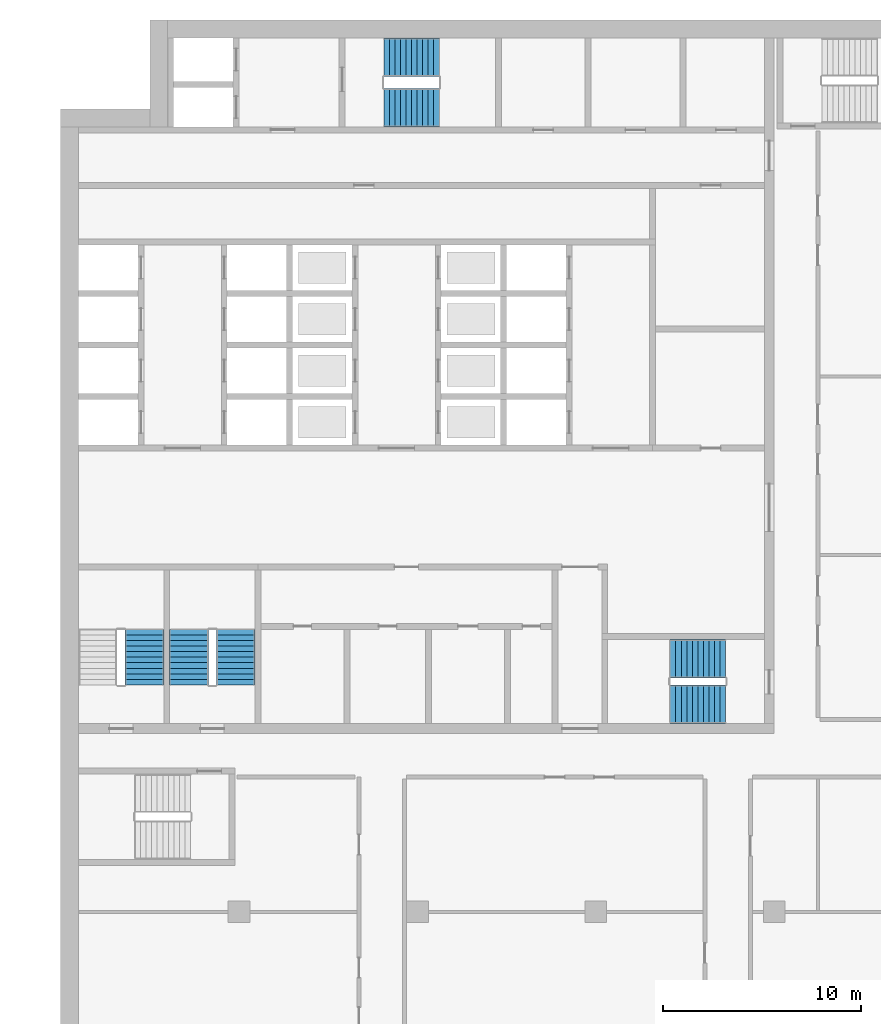
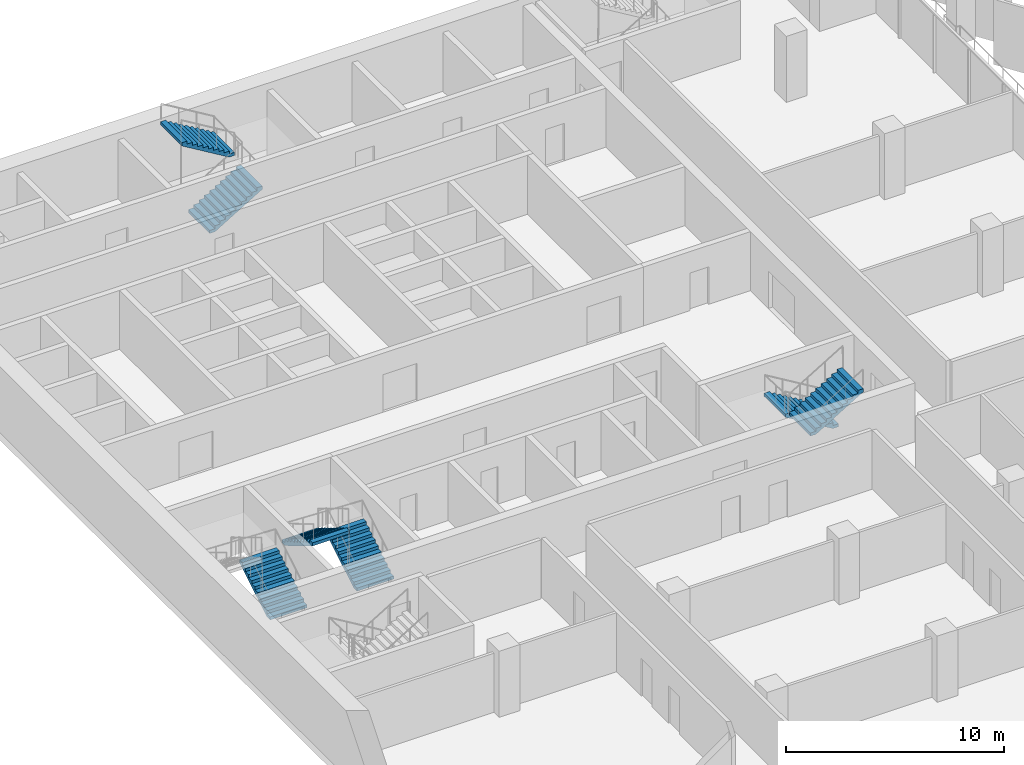
# One storey, part 12 of 18: 7 stair flights, 4 elements without a shape of their own.
"""IFC4 building model written with IfcOpenShell, lengths in metres."""

import ifcopenshell
import ifcopenshell.guid

model = None  # the IFC model being written
_history = None  # IfcOwnerHistory: only IFC2X3 demands one
_inside = {}  # id of a spatial element -> (the spatial element, [elements in it])
_under = {}  # id of a project, library or spatial element -> (it, [spatial elements below it])
_declared = {}  # id of a project -> (the project, [libraries it declares])
_typed = {}  # id of a type object -> (the type object, [elements of that type])
_made_of = {}  # id of a material, layer set ... -> (it, [elements and type objects made of it])


def new_model(schema):
    """Start an empty IFC model of exactly this schema.

    Asked for "IFC4X3", IfcOpenShell would pick the latest addendum, in which some entities
    have other attributes; the version numbers below select the first issue.
    IFC2X3 requires an IfcOwnerHistory on every rooted entity: one is made here for all.
    """
    global model, _history
    if schema == "IFC4X3":
        model = ifcopenshell.file(schema_version=(4, 3, 0, 0))
    else:
        model = ifcopenshell.file(schema=schema)
    _inside.clear()
    _under.clear()
    _declared.clear()
    _typed.clear()
    _made_of.clear()
    _history = None
    if model.schema == "IFC2X3":
        org = make("IfcOrganization", Name="unknown")
        user = make(
            "IfcPersonAndOrganization",
            ThePerson=make("IfcPerson", FamilyName="unknown"),
            TheOrganization=org,
        )
        app = make(
            "IfcApplication",
            ApplicationDeveloper=org,
            Version="unknown",
            ApplicationFullName="unknown",
            ApplicationIdentifier="unknown",
        )
        _history = make(
            "IfcOwnerHistory",
            OwningUser=user,
            OwningApplication=app,
            ChangeAction="ADDED",
            CreationDate=0,
        )
    return model


def make(cls, **values):
    """One entity of the class cls with the attributes given. An attribute that is None is left unset."""
    return model.create_entity(
        cls, **{name: value for name, value in values.items() if value is not None}
    )


def rooted(cls, **values):
    """An entity with a GlobalId (a new one), such as an element, a storey or a relation."""
    return make(cls, GlobalId=ifcopenshell.guid.new(), OwnerHistory=_history, **values)


def si_unit(unit_type, name, prefix=None):
    """IfcSIUnit, for example si_unit("LENGTHUNIT", "METRE", prefix="MILLI")."""
    return make("IfcSIUnit", UnitType=unit_type, Prefix=prefix, Name=name)


def assignment(units):
    """IfcUnitAssignment: the units of a project."""
    return None if units is None else make("IfcUnitAssignment", Units=units)


def point(xyz):
    """IfcCartesianPoint."""
    return None if xyz is None else make("IfcCartesianPoint", Coordinates=xyz)


def direction(xyz):
    """IfcDirection."""
    return None if xyz is None else make("IfcDirection", DirectionRatios=xyz)


def frame(location, z_axis=None, x_axis=None):
    """IfcAxis2Placement3D, a coordinate frame: its origin and axes. An axis left out is left unset."""
    return make(
        "IfcAxis2Placement3D",
        Location=point(location),
        Axis=direction(z_axis),
        RefDirection=direction(x_axis),
    )


def origin():
    """The frame at (0, 0, 0) with its axes left unset."""
    return frame((0.0, 0.0, 0.0))


def place(relative_to, where):
    """IfcLocalPlacement: puts the frame where relative to a parent placement (None: the world)."""
    return make(
        "IfcLocalPlacement", PlacementRelTo=relative_to, RelativePlacement=where
    )


def context(
    kind, dimensions, precision=None, world=None, true_north=None, identifier=None
):
    """IfcGeometricRepresentationContext, for example the 3D "Model" context."""
    return make(
        "IfcGeometricRepresentationContext",
        ContextIdentifier=identifier,
        ContextType=kind,
        CoordinateSpaceDimension=dimensions,
        Precision=precision,
        WorldCoordinateSystem=world,
        TrueNorth=true_north,
    )


def subcontext(parent, identifier, kind, view, scale=None):
    """IfcGeometricRepresentationSubContext, for example "Body" below "Model"."""
    return make(
        "IfcGeometricRepresentationSubContext",
        ContextIdentifier=identifier,
        ContextType=kind,
        ParentContext=parent,
        TargetScale=scale,
        TargetView=view,
    )


def project(units=None, contexts=None):
    """IfcProject with its units and contexts."""
    return rooted(
        "IfcProject",
        Name="project",
        RepresentationContexts=contexts,
        UnitsInContext=assignment(units),
    )


def spatial(cls, under=None, at=None, **own):
    """A site, building, storey or space (cls), placed at a placement, below another one or the project."""
    s = rooted(cls, ObjectPlacement=at, **own)
    if under is not None:
        _under.setdefault(under.id(), (under, []))[1].append(s)
    return s


def polyline(points):
    """IfcPolyline through the points."""
    return make("IfcPolyline", Points=[point(p) for p in points])


def outline(outer, holes=None, kind="AREA"):
    """IfcArbitraryClosedProfileDef: a profile drawn as a closed curve; with holes, ...WithVoids."""
    if holes is None:
        return make("IfcArbitraryClosedProfileDef", ProfileType=kind, OuterCurve=outer)
    return make(
        "IfcArbitraryProfileDefWithVoids",
        ProfileType=kind,
        OuterCurve=outer,
        InnerCurves=holes,
    )


def extrude(swept, where, along, depth):
    """IfcExtrudedAreaSolid: the profile swept, set in the frame where, extruded along a direction by depth."""
    return make(
        "IfcExtrudedAreaSolid",
        SweptArea=swept,
        Position=where,
        ExtrudedDirection=direction(along),
        Depth=depth,
    )


def shape(context_of_items, identifier, shape_type, items):
    """IfcShapeRepresentation: the items that make up one representation, for example the "Body"."""
    return make(
        "IfcShapeRepresentation",
        ContextOfItems=context_of_items,
        RepresentationIdentifier=identifier,
        RepresentationType=shape_type,
        Items=items,
    )


def material(Name=None, Category=None):
    """IfcMaterial."""
    return make("IfcMaterial", Name=Name, Category=Category)


def made_of(thing, what):
    """Note that an element or type object is made of a material, layer set ...; save() writes the relation."""
    if what is not None:
        _made_of.setdefault(what.id(), (what, []))[1].append(thing)
    return thing


def type_object(cls, material=None, **own):
    """A type object (cls), such as IfcWallType, which elements share."""
    return made_of(rooted(cls, **own), material)


def element(
    cls,
    number,
    at=None,
    inside=None,
    cuts=None,
    type_object=None,
    material=None,
    context=None,
    identifier="Body",
    shape_type=None,
    held_by="IfcProductDefinitionShape",
    body=None,
    shapes=None,
    **own,
):
    """One element of the class cls, such as IfcWall. Its Tag is "e" and its number.

    at: its placement. inside: the storey or other place that contains it. cuts: it is an
    opening in that element (IfcRelVoidsElement). A single representation is given by context,
    identifier, shape_type and body (its items); several are given by shapes. held_by: the class
    of the entity that holds the representations. save() writes the other relations.
    """
    e = rooted(cls, Tag="e%d" % number, ObjectPlacement=at, **own)
    if body is not None:
        shapes = [shape(context, identifier, shape_type, body)]
    if shapes is not None:
        e.Representation = make(held_by, Representations=shapes)
    if inside is not None:
        _inside.setdefault(inside.id(), (inside, []))[1].append(e)
    if cuts is not None:
        rooted(
            "IfcRelVoidsElement", RelatingBuildingElement=cuts, RelatedOpeningElement=e
        )
    if type_object is not None:
        _typed.setdefault(type_object.id(), (type_object, []))[1].append(e)
    return made_of(e, material)


def aggregate(whole, parts):
    """IfcRelAggregates: a whole, such as a stair, and the parts it consists of."""
    return rooted("IfcRelAggregates", RelatingObject=whole, RelatedObjects=parts)


def save(model, path):
    """Write the relations noted so far, then the file.

    IfcRelAggregates (storeys below a building ...), IfcRelContainedInSpatialStructure (elements
    in a storey), IfcRelDefinesByType, IfcRelAssociatesMaterial and IfcRelDeclares: one each for
    every whole, place, type object, material and project.
    """
    for whole, parts in _under.values():
        aggregate(whole, parts)
    for where, things in _inside.values():
        rooted(
            "IfcRelContainedInSpatialStructure",
            RelatedElements=things,
            RelatingStructure=where,
        )
    for kind, things in _typed.values():
        rooted("IfcRelDefinesByType", RelatedObjects=things, RelatingType=kind)
    for what, things in _made_of.values():
        rooted("IfcRelAssociatesMaterial", RelatedObjects=things, RelatingMaterial=what)
    for by, libraries in _declared.values():
        rooted("IfcRelDeclares", RelatingContext=by, RelatedDefinitions=libraries)
    model.write(path)


model = new_model("IFC4")

# Units and contexts
model_context = context("Model", 3, precision=1e-05, world=origin(), true_north=direction((0.0, 1.0)))
body_context = subcontext(model_context, "Body", "Model", "MODEL_VIEW")
ifc_project = project(units=[si_unit("LENGTHUNIT", "METRE"), si_unit("AREAUNIT", "SQUARE_METRE"), si_unit("VOLUMEUNIT", "CUBIC_METRE"), si_unit("PLANEANGLEUNIT", "RADIAN"), si_unit("MASSUNIT", "GRAM", prefix="KILO")], contexts=[model_context])

# Site, building, storey
site_placement = place(None, origin())
site = spatial("IfcSite", under=ifc_project, at=site_placement, CompositionType="ELEMENT")
building_placement = place(site_placement, origin())
building = spatial("IfcBuilding", under=site, at=building_placement, Name="Hunhe Ridgeline Campus", CompositionType="ELEMENT")
storey_placement = place(building_placement, frame((0.0, 0.0, 182.800048828125)))
storey = spatial("IfcBuildingStorey", under=building, at=storey_placement, Name="L46", CompositionType="ELEMENT", Elevation=182.800048828125)

# Stair, stair flights
ifc_material = material(Name="Concrete C40", Category="concrete")
stair_type = type_object("IfcStairType", Name="Reinforced concrete dog-leg stair 1950 Concrete C40", PredefinedType="HALF_TURN_STAIR", material=ifc_material)
stair_1_placement = place(storey_placement, origin())
stair_1 = element("IfcStair", 1, at=stair_1_placement, inside=storey, type_object=stair_type, Name="L46 S1", PredefinedType="HALF_TURN_STAIR")
stair_flight_type = type_object("IfcStairFlightType", Name="Reinforced concrete stair flight 1950 Concrete C40", PredefinedType="STRAIGHT", material=ifc_material)
stair_flight_1_placement = place(storey_placement, frame((16.300048828125, 94.574951171875, 0.0), z_axis=(0.0, 0.0, 1.0), x_axis=(1.0, 0.0, 0.0)))
stair_flight_1 = element("IfcStairFlight", 2, at=stair_flight_1_placement, type_object=stair_flight_type, Name="ST1 flight 1", NumberOfRisers=11, NumberOfTreads=10, PredefinedType="STRAIGHT", RiserHeight=0.168181818, TreadLength=0.28, context=body_context, shape_type="SweptSolid", body=[
    extrude(outline(polyline([(0.0, 0.0), (0.0, 0.168212890625), (0.280029296875, 0.168212890625), (0.280029296875, 0.33642578125), (0.56005859375, 0.33642578125), (0.56005859375, 0.504638671875), (0.840087890625, 0.504638671875), (0.840087890625, 0.672607421875), (1.1201171875, 0.672607421875), (1.1201171875, 0.8408203125), (1.39990234375, 0.8408203125), (1.39990234375, 1.009033203125), (1.679931640625, 1.009033203125), (1.679931640625, 1.17724609375), (1.9599609375, 1.17724609375), (1.9599609375, 1.345458984375), (2.239990234375, 1.345458984375), (2.239990234375, 1.513671875), (2.52001953125, 1.513671875), (2.52001953125, 1.681884765625), (2.800048828125, 1.681884765625), (2.800048828125, 1.85009765625), (2.800048828125, 1.5068359375), (0.291015625, 0.0), (0.0, 0.0)])), frame((0.0, 0.97509765625, 0.0), z_axis=(0.0, -1.0, 0.0), x_axis=(1.0, 0.0, 0.0)), (0.0, 0.0, 1.0), 1.949951171875),
    extrude(outline(polyline([(0.030029296875, 0.030029296875), (0.030029296875, 0.13818359375), (0.31005859375, 0.13818359375), (0.31005859375, 0.306396484375), (0.590087890625, 0.306396484375), (0.590087890625, 0.474609375), (0.8701171875, 0.474609375), (0.8701171875, 0.642578125), (1.14990234375, 0.642578125), (1.14990234375, 0.810791015625), (1.429931640625, 0.810791015625), (1.429931640625, 0.97900390625), (1.7099609375, 0.97900390625), (1.7099609375, 1.147216796875), (1.989990234375, 1.147216796875), (1.989990234375, 1.3154296875), (2.27001953125, 1.3154296875), (2.27001953125, 1.483642578125), (2.550048828125, 1.483642578125), (2.550048828125, 1.65185546875), (2.77001953125, 1.65185546875), (2.77001953125, 1.52392578125), (0.28271484375, 0.030029296875), (0.030029296875, 0.030029296875)])), frame((0.0, -0.070068359375, 0.0), z_axis=(0.0, -1.0, 0.0), x_axis=(1.0, 0.0, 0.0)), (0.0, 0.0, 1.0), 0.019775390625),
    extrude(outline(polyline([(0.030029296875, 0.030029296875), (0.030029296875, 0.13818359375), (0.31005859375, 0.13818359375), (0.31005859375, 0.306396484375), (0.590087890625, 0.306396484375), (0.590087890625, 0.474609375), (0.8701171875, 0.474609375), (0.8701171875, 0.642578125), (1.14990234375, 0.642578125), (1.14990234375, 0.810791015625), (1.429931640625, 0.810791015625), (1.429931640625, 0.97900390625), (1.7099609375, 0.97900390625), (1.7099609375, 1.147216796875), (1.989990234375, 1.147216796875), (1.989990234375, 1.3154296875), (2.27001953125, 1.3154296875), (2.27001953125, 1.483642578125), (2.550048828125, 1.483642578125), (2.550048828125, 1.65185546875), (2.77001953125, 1.65185546875), (2.77001953125, 1.52392578125), (0.28271484375, 0.030029296875), (0.030029296875, 0.030029296875)])), frame((0.0, 0.010009765625, 0.0), z_axis=(0.0, -1.0, 0.0), x_axis=(1.0, 0.0, 0.0)), (0.0, 0.0, 1.0), 0.019775390625),
    extrude(outline(polyline([(0.030029296875, 0.030029296875), (0.030029296875, 0.13818359375), (0.31005859375, 0.13818359375), (0.31005859375, 0.306396484375), (0.590087890625, 0.306396484375), (0.590087890625, 0.474609375), (0.8701171875, 0.474609375), (0.8701171875, 0.642578125), (1.14990234375, 0.642578125), (1.14990234375, 0.810791015625), (1.429931640625, 0.810791015625), (1.429931640625, 0.97900390625), (1.7099609375, 0.97900390625), (1.7099609375, 1.147216796875), (1.989990234375, 1.147216796875), (1.989990234375, 1.3154296875), (2.27001953125, 1.3154296875), (2.27001953125, 1.483642578125), (2.550048828125, 1.483642578125), (2.550048828125, 1.65185546875), (2.77001953125, 1.65185546875), (2.77001953125, 1.52392578125), (0.28271484375, 0.030029296875), (0.030029296875, 0.030029296875)])), frame((0.0, 0.090087890625, 0.0), z_axis=(0.0, -1.0, 0.0), x_axis=(1.0, 0.0, 0.0)), (0.0, 0.0, 1.0), 0.019775390625),
])
stair_flight_2_placement = place(storey_placement, frame((19.10009765625, 97.125, 1.849853515625), z_axis=(0.0, 0.0, 1.0), x_axis=(-1.0, 0.0, 0.0)))
stair_flight_2 = element("IfcStairFlight", 3, at=stair_flight_2_placement, type_object=stair_flight_type, Name="ST1 flight 2", NumberOfRisers=11, NumberOfTreads=10, PredefinedType="STRAIGHT", RiserHeight=0.168181818, TreadLength=0.28, context=body_context, shape_type="SweptSolid", body=[
    extrude(outline(polyline([(0.0, 0.0), (0.0, 0.168212890625), (0.280029296875, 0.168212890625), (0.280029296875, 0.33642578125), (0.56005859375, 0.33642578125), (0.56005859375, 0.504638671875), (0.840087890625, 0.504638671875), (0.840087890625, 0.672607421875), (1.1201171875, 0.672607421875), (1.1201171875, 0.8408203125), (1.39990234375, 0.8408203125), (1.39990234375, 1.009033203125), (1.679931640625, 1.009033203125), (1.679931640625, 1.17724609375), (1.9599609375, 1.17724609375), (1.9599609375, 1.345458984375), (2.239990234375, 1.345458984375), (2.239990234375, 1.513671875), (2.52001953125, 1.513671875), (2.52001953125, 1.681884765625), (2.800048828125, 1.681884765625), (2.800048828125, 1.85009765625), (2.800048828125, 1.5068359375), (0.291015625, 0.0), (0.0, 0.0)])), frame((0.0, 0.97509765625, 0.0), z_axis=(0.0, -1.0, 0.0), x_axis=(1.0, 0.0, 0.0)), (0.0, 0.0, 1.0), 1.949951171875),
    extrude(outline(polyline([(0.030029296875, 0.030029296875), (0.030029296875, 0.13818359375), (0.31005859375, 0.13818359375), (0.31005859375, 0.306396484375), (0.590087890625, 0.306396484375), (0.590087890625, 0.474609375), (0.8701171875, 0.474609375), (0.8701171875, 0.642578125), (1.14990234375, 0.642578125), (1.14990234375, 0.810791015625), (1.429931640625, 0.810791015625), (1.429931640625, 0.97900390625), (1.7099609375, 0.97900390625), (1.7099609375, 1.147216796875), (1.989990234375, 1.147216796875), (1.989990234375, 1.3154296875), (2.27001953125, 1.3154296875), (2.27001953125, 1.483642578125), (2.550048828125, 1.483642578125), (2.550048828125, 1.65185546875), (2.77001953125, 1.65185546875), (2.77001953125, 1.52392578125), (0.28271484375, 0.030029296875), (0.030029296875, 0.030029296875)])), frame((0.0, -0.070068359375, 0.0), z_axis=(0.0, -1.0, 0.0), x_axis=(1.0, 0.0, 0.0)), (0.0, 0.0, 1.0), 0.019775390625),
    extrude(outline(polyline([(0.030029296875, 0.030029296875), (0.030029296875, 0.13818359375), (0.31005859375, 0.13818359375), (0.31005859375, 0.306396484375), (0.590087890625, 0.306396484375), (0.590087890625, 0.474609375), (0.8701171875, 0.474609375), (0.8701171875, 0.642578125), (1.14990234375, 0.642578125), (1.14990234375, 0.810791015625), (1.429931640625, 0.810791015625), (1.429931640625, 0.97900390625), (1.7099609375, 0.97900390625), (1.7099609375, 1.147216796875), (1.989990234375, 1.147216796875), (1.989990234375, 1.3154296875), (2.27001953125, 1.3154296875), (2.27001953125, 1.483642578125), (2.550048828125, 1.483642578125), (2.550048828125, 1.65185546875), (2.77001953125, 1.65185546875), (2.77001953125, 1.52392578125), (0.28271484375, 0.030029296875), (0.030029296875, 0.030029296875)])), frame((0.0, 0.010009765625, 0.0), z_axis=(0.0, -1.0, 0.0), x_axis=(1.0, 0.0, 0.0)), (0.0, 0.0, 1.0), 0.019775390625),
    extrude(outline(polyline([(0.030029296875, 0.030029296875), (0.030029296875, 0.13818359375), (0.31005859375, 0.13818359375), (0.31005859375, 0.306396484375), (0.590087890625, 0.306396484375), (0.590087890625, 0.474609375), (0.8701171875, 0.474609375), (0.8701171875, 0.642578125), (1.14990234375, 0.642578125), (1.14990234375, 0.810791015625), (1.429931640625, 0.810791015625), (1.429931640625, 0.97900390625), (1.7099609375, 0.97900390625), (1.7099609375, 1.147216796875), (1.989990234375, 1.147216796875), (1.989990234375, 1.3154296875), (2.27001953125, 1.3154296875), (2.27001953125, 1.483642578125), (2.550048828125, 1.483642578125), (2.550048828125, 1.65185546875), (2.77001953125, 1.65185546875), (2.77001953125, 1.52392578125), (0.28271484375, 0.030029296875), (0.030029296875, 0.030029296875)])), frame((0.0, 0.090087890625, 0.0), z_axis=(0.0, -1.0, 0.0), x_axis=(1.0, 0.0, 0.0)), (0.0, 0.0, 1.0), 0.019775390625),
])
aggregate(stair_1, [stair_flight_1, stair_flight_2])

stair_2_placement = place(storey_placement, origin())
stair_2 = element("IfcStair", 4, at=stair_2_placement, inside=storey, type_object=stair_type, Name="L46 S2", PredefinedType="HALF_TURN_STAIR")
stair_flight_3_placement = place(storey_placement, frame((33.550048828125, 66.77490234375, 0.0), z_axis=(0.0, 0.0, 1.0), x_axis=(-1.0, 0.0, 0.0)))
stair_flight_3 = element("IfcStairFlight", 5, at=stair_flight_3_placement, type_object=stair_flight_type, Name="ST2 flight 1", NumberOfRisers=11, NumberOfTreads=10, PredefinedType="STRAIGHT", RiserHeight=0.168181818, TreadLength=0.28, context=body_context, shape_type="SweptSolid", body=[
    extrude(outline(polyline([(0.0, 0.0), (0.0, 0.168212890625), (0.280029296875, 0.168212890625), (0.280029296875, 0.33642578125), (0.56005859375, 0.33642578125), (0.56005859375, 0.504638671875), (0.840087890625, 0.504638671875), (0.840087890625, 0.672607421875), (1.1201171875, 0.672607421875), (1.1201171875, 0.8408203125), (1.39990234375, 0.8408203125), (1.39990234375, 1.009033203125), (1.679931640625, 1.009033203125), (1.679931640625, 1.17724609375), (1.9599609375, 1.17724609375), (1.9599609375, 1.345458984375), (2.239990234375, 1.345458984375), (2.239990234375, 1.513671875), (2.52001953125, 1.513671875), (2.52001953125, 1.681884765625), (2.800048828125, 1.681884765625), (2.800048828125, 1.85009765625), (2.800048828125, 1.5068359375), (0.291015625, 0.0), (0.0, 0.0)])), frame((0.0, 0.97509765625, 0.0), z_axis=(0.0, -1.0, 0.0), x_axis=(1.0, 0.0, 0.0)), (0.0, 0.0, 1.0), 1.949951171875),
    extrude(outline(polyline([(0.030029296875, 0.030029296875), (0.030029296875, 0.13818359375), (0.31005859375, 0.13818359375), (0.31005859375, 0.306396484375), (0.590087890625, 0.306396484375), (0.590087890625, 0.474609375), (0.8701171875, 0.474609375), (0.8701171875, 0.642578125), (1.14990234375, 0.642578125), (1.14990234375, 0.810791015625), (1.429931640625, 0.810791015625), (1.429931640625, 0.97900390625), (1.7099609375, 0.97900390625), (1.7099609375, 1.147216796875), (1.989990234375, 1.147216796875), (1.989990234375, 1.3154296875), (2.27001953125, 1.3154296875), (2.27001953125, 1.483642578125), (2.550048828125, 1.483642578125), (2.550048828125, 1.65185546875), (2.77001953125, 1.65185546875), (2.77001953125, 1.52392578125), (0.28271484375, 0.030029296875), (0.030029296875, 0.030029296875)])), frame((0.0, -0.070068359375, 0.0), z_axis=(0.0, -1.0, 0.0), x_axis=(1.0, 0.0, 0.0)), (0.0, 0.0, 1.0), 0.019775390625),
    extrude(outline(polyline([(0.030029296875, 0.030029296875), (0.030029296875, 0.13818359375), (0.31005859375, 0.13818359375), (0.31005859375, 0.306396484375), (0.590087890625, 0.306396484375), (0.590087890625, 0.474609375), (0.8701171875, 0.474609375), (0.8701171875, 0.642578125), (1.14990234375, 0.642578125), (1.14990234375, 0.810791015625), (1.429931640625, 0.810791015625), (1.429931640625, 0.97900390625), (1.7099609375, 0.97900390625), (1.7099609375, 1.147216796875), (1.989990234375, 1.147216796875), (1.989990234375, 1.3154296875), (2.27001953125, 1.3154296875), (2.27001953125, 1.483642578125), (2.550048828125, 1.483642578125), (2.550048828125, 1.65185546875), (2.77001953125, 1.65185546875), (2.77001953125, 1.52392578125), (0.28271484375, 0.030029296875), (0.030029296875, 0.030029296875)])), frame((0.0, 0.010009765625, 0.0), z_axis=(0.0, -1.0, 0.0), x_axis=(1.0, 0.0, 0.0)), (0.0, 0.0, 1.0), 0.019775390625),
    extrude(outline(polyline([(0.030029296875, 0.030029296875), (0.030029296875, 0.13818359375), (0.31005859375, 0.13818359375), (0.31005859375, 0.306396484375), (0.590087890625, 0.306396484375), (0.590087890625, 0.474609375), (0.8701171875, 0.474609375), (0.8701171875, 0.642578125), (1.14990234375, 0.642578125), (1.14990234375, 0.810791015625), (1.429931640625, 0.810791015625), (1.429931640625, 0.97900390625), (1.7099609375, 0.97900390625), (1.7099609375, 1.147216796875), (1.989990234375, 1.147216796875), (1.989990234375, 1.3154296875), (2.27001953125, 1.3154296875), (2.27001953125, 1.483642578125), (2.550048828125, 1.483642578125), (2.550048828125, 1.65185546875), (2.77001953125, 1.65185546875), (2.77001953125, 1.52392578125), (0.28271484375, 0.030029296875), (0.030029296875, 0.030029296875)])), frame((0.0, 0.090087890625, 0.0), z_axis=(0.0, -1.0, 0.0), x_axis=(1.0, 0.0, 0.0)), (0.0, 0.0, 1.0), 0.019775390625),
])
stair_flight_4_placement = place(storey_placement, frame((30.75, 64.47509765625, 1.849853515625), z_axis=(0.0, 0.0, 1.0), x_axis=(1.0, 0.0, 0.0)))
stair_flight_4 = element("IfcStairFlight", 6, at=stair_flight_4_placement, type_object=stair_flight_type, Name="ST2 flight 2", NumberOfRisers=11, NumberOfTreads=10, PredefinedType="STRAIGHT", RiserHeight=0.168181818, TreadLength=0.28, context=body_context, shape_type="SweptSolid", body=[
    extrude(outline(polyline([(0.0, 0.0), (0.0, 0.168212890625), (0.280029296875, 0.168212890625), (0.280029296875, 0.33642578125), (0.56005859375, 0.33642578125), (0.56005859375, 0.504638671875), (0.840087890625, 0.504638671875), (0.840087890625, 0.672607421875), (1.1201171875, 0.672607421875), (1.1201171875, 0.8408203125), (1.39990234375, 0.8408203125), (1.39990234375, 1.009033203125), (1.679931640625, 1.009033203125), (1.679931640625, 1.17724609375), (1.9599609375, 1.17724609375), (1.9599609375, 1.345458984375), (2.239990234375, 1.345458984375), (2.239990234375, 1.513671875), (2.52001953125, 1.513671875), (2.52001953125, 1.681884765625), (2.800048828125, 1.681884765625), (2.800048828125, 1.85009765625), (2.800048828125, 1.5068359375), (0.291015625, 0.0), (0.0, 0.0)])), frame((0.0, 0.97509765625, 0.0), z_axis=(0.0, -1.0, 0.0), x_axis=(1.0, 0.0, 0.0)), (0.0, 0.0, 1.0), 1.949951171875),
    extrude(outline(polyline([(0.030029296875, 0.030029296875), (0.030029296875, 0.13818359375), (0.31005859375, 0.13818359375), (0.31005859375, 0.306396484375), (0.590087890625, 0.306396484375), (0.590087890625, 0.474609375), (0.8701171875, 0.474609375), (0.8701171875, 0.642578125), (1.14990234375, 0.642578125), (1.14990234375, 0.810791015625), (1.429931640625, 0.810791015625), (1.429931640625, 0.97900390625), (1.7099609375, 0.97900390625), (1.7099609375, 1.147216796875), (1.989990234375, 1.147216796875), (1.989990234375, 1.3154296875), (2.27001953125, 1.3154296875), (2.27001953125, 1.483642578125), (2.550048828125, 1.483642578125), (2.550048828125, 1.65185546875), (2.77001953125, 1.65185546875), (2.77001953125, 1.52392578125), (0.28271484375, 0.030029296875), (0.030029296875, 0.030029296875)])), frame((0.0, -0.070068359375, 0.0), z_axis=(0.0, -1.0, 0.0), x_axis=(1.0, 0.0, 0.0)), (0.0, 0.0, 1.0), 0.019775390625),
    extrude(outline(polyline([(0.030029296875, 0.030029296875), (0.030029296875, 0.13818359375), (0.31005859375, 0.13818359375), (0.31005859375, 0.306396484375), (0.590087890625, 0.306396484375), (0.590087890625, 0.474609375), (0.8701171875, 0.474609375), (0.8701171875, 0.642578125), (1.14990234375, 0.642578125), (1.14990234375, 0.810791015625), (1.429931640625, 0.810791015625), (1.429931640625, 0.97900390625), (1.7099609375, 0.97900390625), (1.7099609375, 1.147216796875), (1.989990234375, 1.147216796875), (1.989990234375, 1.3154296875), (2.27001953125, 1.3154296875), (2.27001953125, 1.483642578125), (2.550048828125, 1.483642578125), (2.550048828125, 1.65185546875), (2.77001953125, 1.65185546875), (2.77001953125, 1.52392578125), (0.28271484375, 0.030029296875), (0.030029296875, 0.030029296875)])), frame((0.0, 0.010009765625, 0.0), z_axis=(0.0, -1.0, 0.0), x_axis=(1.0, 0.0, 0.0)), (0.0, 0.0, 1.0), 0.019775390625),
    extrude(outline(polyline([(0.030029296875, 0.030029296875), (0.030029296875, 0.13818359375), (0.31005859375, 0.13818359375), (0.31005859375, 0.306396484375), (0.590087890625, 0.306396484375), (0.590087890625, 0.474609375), (0.8701171875, 0.474609375), (0.8701171875, 0.642578125), (1.14990234375, 0.642578125), (1.14990234375, 0.810791015625), (1.429931640625, 0.810791015625), (1.429931640625, 0.97900390625), (1.7099609375, 0.97900390625), (1.7099609375, 1.147216796875), (1.989990234375, 1.147216796875), (1.989990234375, 1.3154296875), (2.27001953125, 1.3154296875), (2.27001953125, 1.483642578125), (2.550048828125, 1.483642578125), (2.550048828125, 1.65185546875), (2.77001953125, 1.65185546875), (2.77001953125, 1.52392578125), (0.28271484375, 0.030029296875), (0.030029296875, 0.030029296875)])), frame((0.0, 0.090087890625, 0.0), z_axis=(0.0, -1.0, 0.0), x_axis=(1.0, 0.0, 0.0)), (0.0, 0.0, 1.0), 0.019775390625),
])
aggregate(stair_2, [stair_flight_3, stair_flight_4])

# Stair, stair flight
stair_3_placement = place(storey_placement, origin())
stair_3 = element("IfcStair", 7, at=stair_3_placement, inside=storey, type_object=stair_type, Name="L46 S3", PredefinedType="HALF_TURN_STAIR")
stair_flight_5_placement = place(storey_placement, frame((4.22509765625, 65.449951171875, 0.0), z_axis=(0.0, 0.0, 1.0), x_axis=(0.0, 1.0, 0.0)))
stair_flight_5 = element("IfcStairFlight", 8, at=stair_flight_5_placement, type_object=stair_flight_type, Name="ST3 flight 1", NumberOfRisers=11, NumberOfTreads=10, PredefinedType="STRAIGHT", RiserHeight=0.168181818, TreadLength=0.28, context=body_context, shape_type="SweptSolid", body=[
    extrude(outline(polyline([(0.0, 0.0), (0.0, 0.168212890625), (0.280029296875, 0.168212890625), (0.280029296875, 0.33642578125), (0.56005859375, 0.33642578125), (0.56005859375, 0.504638671875), (0.840087890625, 0.504638671875), (0.840087890625, 0.672607421875), (1.1201171875, 0.672607421875), (1.1201171875, 0.8408203125), (1.39990234375, 0.8408203125), (1.39990234375, 1.009033203125), (1.679931640625, 1.009033203125), (1.679931640625, 1.17724609375), (1.9599609375, 1.17724609375), (1.9599609375, 1.345458984375), (2.239990234375, 1.345458984375), (2.239990234375, 1.513671875), (2.52001953125, 1.513671875), (2.52001953125, 1.681884765625), (2.800048828125, 1.681884765625), (2.800048828125, 1.85009765625), (2.800048828125, 1.5068359375), (0.291015625, 0.0), (0.0, 0.0)])), frame((0.0, 0.97509765625, 0.0), z_axis=(0.0, -1.0, 0.0), x_axis=(1.0, 0.0, 0.0)), (0.0, 0.0, 1.0), 1.949951171875),
    extrude(outline(polyline([(0.030029296875, 0.030029296875), (0.030029296875, 0.13818359375), (0.31005859375, 0.13818359375), (0.31005859375, 0.306396484375), (0.590087890625, 0.306396484375), (0.590087890625, 0.474609375), (0.8701171875, 0.474609375), (0.8701171875, 0.642578125), (1.14990234375, 0.642578125), (1.14990234375, 0.810791015625), (1.429931640625, 0.810791015625), (1.429931640625, 0.97900390625), (1.7099609375, 0.97900390625), (1.7099609375, 1.147216796875), (1.989990234375, 1.147216796875), (1.989990234375, 1.3154296875), (2.27001953125, 1.3154296875), (2.27001953125, 1.483642578125), (2.550048828125, 1.483642578125), (2.550048828125, 1.65185546875), (2.77001953125, 1.65185546875), (2.77001953125, 1.52392578125), (0.28271484375, 0.030029296875), (0.030029296875, 0.030029296875)])), frame((0.0, -0.070068359375, 0.0), z_axis=(0.0, -1.0, 0.0), x_axis=(1.0, 0.0, 0.0)), (0.0, 0.0, 1.0), 0.019775390625),
    extrude(outline(polyline([(0.030029296875, 0.030029296875), (0.030029296875, 0.13818359375), (0.31005859375, 0.13818359375), (0.31005859375, 0.306396484375), (0.590087890625, 0.306396484375), (0.590087890625, 0.474609375), (0.8701171875, 0.474609375), (0.8701171875, 0.642578125), (1.14990234375, 0.642578125), (1.14990234375, 0.810791015625), (1.429931640625, 0.810791015625), (1.429931640625, 0.97900390625), (1.7099609375, 0.97900390625), (1.7099609375, 1.147216796875), (1.989990234375, 1.147216796875), (1.989990234375, 1.3154296875), (2.27001953125, 1.3154296875), (2.27001953125, 1.483642578125), (2.550048828125, 1.483642578125), (2.550048828125, 1.65185546875), (2.77001953125, 1.65185546875), (2.77001953125, 1.52392578125), (0.28271484375, 0.030029296875), (0.030029296875, 0.030029296875)])), frame((0.0, 0.010009765625, 0.0), z_axis=(0.0, -1.0, 0.0), x_axis=(1.0, 0.0, 0.0)), (0.0, 0.0, 1.0), 0.019775390625),
    extrude(outline(polyline([(0.030029296875, 0.030029296875), (0.030029296875, 0.13818359375), (0.31005859375, 0.13818359375), (0.31005859375, 0.306396484375), (0.590087890625, 0.306396484375), (0.590087890625, 0.474609375), (0.8701171875, 0.474609375), (0.8701171875, 0.642578125), (1.14990234375, 0.642578125), (1.14990234375, 0.810791015625), (1.429931640625, 0.810791015625), (1.429931640625, 0.97900390625), (1.7099609375, 0.97900390625), (1.7099609375, 1.147216796875), (1.989990234375, 1.147216796875), (1.989990234375, 1.3154296875), (2.27001953125, 1.3154296875), (2.27001953125, 1.483642578125), (2.550048828125, 1.483642578125), (2.550048828125, 1.65185546875), (2.77001953125, 1.65185546875), (2.77001953125, 1.52392578125), (0.28271484375, 0.030029296875), (0.030029296875, 0.030029296875)])), frame((0.0, 0.090087890625, 0.0), z_axis=(0.0, -1.0, 0.0), x_axis=(1.0, 0.0, 0.0)), (0.0, 0.0, 1.0), 0.019775390625),
])
aggregate(stair_3, [stair_flight_5])

# Stair, stair flights
stair_4_placement = place(storey_placement, origin())
stair_4 = element("IfcStair", 9, at=stair_4_placement, inside=storey, type_object=stair_type, Name="L46 S4", PredefinedType="HALF_TURN_STAIR")
stair_flight_6_placement = place(storey_placement, frame((8.824951171875, 65.449951171875, 0.0), z_axis=(0.0, 0.0, 1.0), x_axis=(0.0, 1.0, 0.0)))
stair_flight_6 = element("IfcStairFlight", 10, at=stair_flight_6_placement, type_object=stair_flight_type, Name="ST4 flight 1", NumberOfRisers=11, NumberOfTreads=10, PredefinedType="STRAIGHT", RiserHeight=0.168181818, TreadLength=0.28, context=body_context, shape_type="SweptSolid", body=[
    extrude(outline(polyline([(0.0, 0.0), (0.0, 0.168212890625), (0.280029296875, 0.168212890625), (0.280029296875, 0.33642578125), (0.56005859375, 0.33642578125), (0.56005859375, 0.504638671875), (0.840087890625, 0.504638671875), (0.840087890625, 0.672607421875), (1.1201171875, 0.672607421875), (1.1201171875, 0.8408203125), (1.39990234375, 0.8408203125), (1.39990234375, 1.009033203125), (1.679931640625, 1.009033203125), (1.679931640625, 1.17724609375), (1.9599609375, 1.17724609375), (1.9599609375, 1.345458984375), (2.239990234375, 1.345458984375), (2.239990234375, 1.513671875), (2.52001953125, 1.513671875), (2.52001953125, 1.681884765625), (2.800048828125, 1.681884765625), (2.800048828125, 1.85009765625), (2.800048828125, 1.5068359375), (0.291015625, 0.0), (0.0, 0.0)])), frame((0.0, 0.97509765625, 0.0), z_axis=(0.0, -1.0, 0.0), x_axis=(1.0, 0.0, 0.0)), (0.0, 0.0, 1.0), 1.949951171875),
    extrude(outline(polyline([(0.030029296875, 0.030029296875), (0.030029296875, 0.13818359375), (0.31005859375, 0.13818359375), (0.31005859375, 0.306396484375), (0.590087890625, 0.306396484375), (0.590087890625, 0.474609375), (0.8701171875, 0.474609375), (0.8701171875, 0.642578125), (1.14990234375, 0.642578125), (1.14990234375, 0.810791015625), (1.429931640625, 0.810791015625), (1.429931640625, 0.97900390625), (1.7099609375, 0.97900390625), (1.7099609375, 1.147216796875), (1.989990234375, 1.147216796875), (1.989990234375, 1.3154296875), (2.27001953125, 1.3154296875), (2.27001953125, 1.483642578125), (2.550048828125, 1.483642578125), (2.550048828125, 1.65185546875), (2.77001953125, 1.65185546875), (2.77001953125, 1.52392578125), (0.28271484375, 0.030029296875), (0.030029296875, 0.030029296875)])), frame((0.0, -0.070068359375, 0.0), z_axis=(0.0, -1.0, 0.0), x_axis=(1.0, 0.0, 0.0)), (0.0, 0.0, 1.0), 0.019775390625),
    extrude(outline(polyline([(0.030029296875, 0.030029296875), (0.030029296875, 0.13818359375), (0.31005859375, 0.13818359375), (0.31005859375, 0.306396484375), (0.590087890625, 0.306396484375), (0.590087890625, 0.474609375), (0.8701171875, 0.474609375), (0.8701171875, 0.642578125), (1.14990234375, 0.642578125), (1.14990234375, 0.810791015625), (1.429931640625, 0.810791015625), (1.429931640625, 0.97900390625), (1.7099609375, 0.97900390625), (1.7099609375, 1.147216796875), (1.989990234375, 1.147216796875), (1.989990234375, 1.3154296875), (2.27001953125, 1.3154296875), (2.27001953125, 1.483642578125), (2.550048828125, 1.483642578125), (2.550048828125, 1.65185546875), (2.77001953125, 1.65185546875), (2.77001953125, 1.52392578125), (0.28271484375, 0.030029296875), (0.030029296875, 0.030029296875)])), frame((0.0, 0.010009765625, 0.0), z_axis=(0.0, -1.0, 0.0), x_axis=(1.0, 0.0, 0.0)), (0.0, 0.0, 1.0), 0.019775390625),
    extrude(outline(polyline([(0.030029296875, 0.030029296875), (0.030029296875, 0.13818359375), (0.31005859375, 0.13818359375), (0.31005859375, 0.306396484375), (0.590087890625, 0.306396484375), (0.590087890625, 0.474609375), (0.8701171875, 0.474609375), (0.8701171875, 0.642578125), (1.14990234375, 0.642578125), (1.14990234375, 0.810791015625), (1.429931640625, 0.810791015625), (1.429931640625, 0.97900390625), (1.7099609375, 0.97900390625), (1.7099609375, 1.147216796875), (1.989990234375, 1.147216796875), (1.989990234375, 1.3154296875), (2.27001953125, 1.3154296875), (2.27001953125, 1.483642578125), (2.550048828125, 1.483642578125), (2.550048828125, 1.65185546875), (2.77001953125, 1.65185546875), (2.77001953125, 1.52392578125), (0.28271484375, 0.030029296875), (0.030029296875, 0.030029296875)])), frame((0.0, 0.090087890625, 0.0), z_axis=(0.0, -1.0, 0.0), x_axis=(1.0, 0.0, 0.0)), (0.0, 0.0, 1.0), 0.019775390625),
])
stair_flight_7_placement = place(storey_placement, frame((6.47509765625, 68.25, 1.849853515625), z_axis=(0.0, 0.0, 1.0), x_axis=(0.0, -1.0, 0.0)))
stair_flight_7 = element("IfcStairFlight", 11, at=stair_flight_7_placement, type_object=stair_flight_type, Name="ST4 flight 2", NumberOfRisers=11, NumberOfTreads=10, PredefinedType="STRAIGHT", RiserHeight=0.168181818, TreadLength=0.28, context=body_context, shape_type="SweptSolid", body=[
    extrude(outline(polyline([(0.0, 0.0), (0.0, 0.168212890625), (0.280029296875, 0.168212890625), (0.280029296875, 0.33642578125), (0.56005859375, 0.33642578125), (0.56005859375, 0.504638671875), (0.840087890625, 0.504638671875), (0.840087890625, 0.672607421875), (1.1201171875, 0.672607421875), (1.1201171875, 0.8408203125), (1.39990234375, 0.8408203125), (1.39990234375, 1.009033203125), (1.679931640625, 1.009033203125), (1.679931640625, 1.17724609375), (1.9599609375, 1.17724609375), (1.9599609375, 1.345458984375), (2.239990234375, 1.345458984375), (2.239990234375, 1.513671875), (2.52001953125, 1.513671875), (2.52001953125, 1.681884765625), (2.800048828125, 1.681884765625), (2.800048828125, 1.85009765625), (2.800048828125, 1.5068359375), (0.291015625, 0.0), (0.0, 0.0)])), frame((0.0, 0.97509765625, 0.0), z_axis=(0.0, -1.0, 0.0), x_axis=(1.0, 0.0, 0.0)), (0.0, 0.0, 1.0), 1.949951171875),
    extrude(outline(polyline([(0.030029296875, 0.030029296875), (0.030029296875, 0.13818359375), (0.31005859375, 0.13818359375), (0.31005859375, 0.306396484375), (0.590087890625, 0.306396484375), (0.590087890625, 0.474609375), (0.8701171875, 0.474609375), (0.8701171875, 0.642578125), (1.14990234375, 0.642578125), (1.14990234375, 0.810791015625), (1.429931640625, 0.810791015625), (1.429931640625, 0.97900390625), (1.7099609375, 0.97900390625), (1.7099609375, 1.147216796875), (1.989990234375, 1.147216796875), (1.989990234375, 1.3154296875), (2.27001953125, 1.3154296875), (2.27001953125, 1.483642578125), (2.550048828125, 1.483642578125), (2.550048828125, 1.65185546875), (2.77001953125, 1.65185546875), (2.77001953125, 1.52392578125), (0.28271484375, 0.030029296875), (0.030029296875, 0.030029296875)])), frame((0.0, -0.070068359375, 0.0), z_axis=(0.0, -1.0, 0.0), x_axis=(1.0, 0.0, 0.0)), (0.0, 0.0, 1.0), 0.019775390625),
    extrude(outline(polyline([(0.030029296875, 0.030029296875), (0.030029296875, 0.13818359375), (0.31005859375, 0.13818359375), (0.31005859375, 0.306396484375), (0.590087890625, 0.306396484375), (0.590087890625, 0.474609375), (0.8701171875, 0.474609375), (0.8701171875, 0.642578125), (1.14990234375, 0.642578125), (1.14990234375, 0.810791015625), (1.429931640625, 0.810791015625), (1.429931640625, 0.97900390625), (1.7099609375, 0.97900390625), (1.7099609375, 1.147216796875), (1.989990234375, 1.147216796875), (1.989990234375, 1.3154296875), (2.27001953125, 1.3154296875), (2.27001953125, 1.483642578125), (2.550048828125, 1.483642578125), (2.550048828125, 1.65185546875), (2.77001953125, 1.65185546875), (2.77001953125, 1.52392578125), (0.28271484375, 0.030029296875), (0.030029296875, 0.030029296875)])), frame((0.0, 0.010009765625, 0.0), z_axis=(0.0, -1.0, 0.0), x_axis=(1.0, 0.0, 0.0)), (0.0, 0.0, 1.0), 0.019775390625),
    extrude(outline(polyline([(0.030029296875, 0.030029296875), (0.030029296875, 0.13818359375), (0.31005859375, 0.13818359375), (0.31005859375, 0.306396484375), (0.590087890625, 0.306396484375), (0.590087890625, 0.474609375), (0.8701171875, 0.474609375), (0.8701171875, 0.642578125), (1.14990234375, 0.642578125), (1.14990234375, 0.810791015625), (1.429931640625, 0.810791015625), (1.429931640625, 0.97900390625), (1.7099609375, 0.97900390625), (1.7099609375, 1.147216796875), (1.989990234375, 1.147216796875), (1.989990234375, 1.3154296875), (2.27001953125, 1.3154296875), (2.27001953125, 1.483642578125), (2.550048828125, 1.483642578125), (2.550048828125, 1.65185546875), (2.77001953125, 1.65185546875), (2.77001953125, 1.52392578125), (0.28271484375, 0.030029296875), (0.030029296875, 0.030029296875)])), frame((0.0, 0.090087890625, 0.0), z_axis=(0.0, -1.0, 0.0), x_axis=(1.0, 0.0, 0.0)), (0.0, 0.0, 1.0), 0.019775390625),
])
aggregate(stair_4, [stair_flight_6, stair_flight_7])

save(model, "model.ifc")
